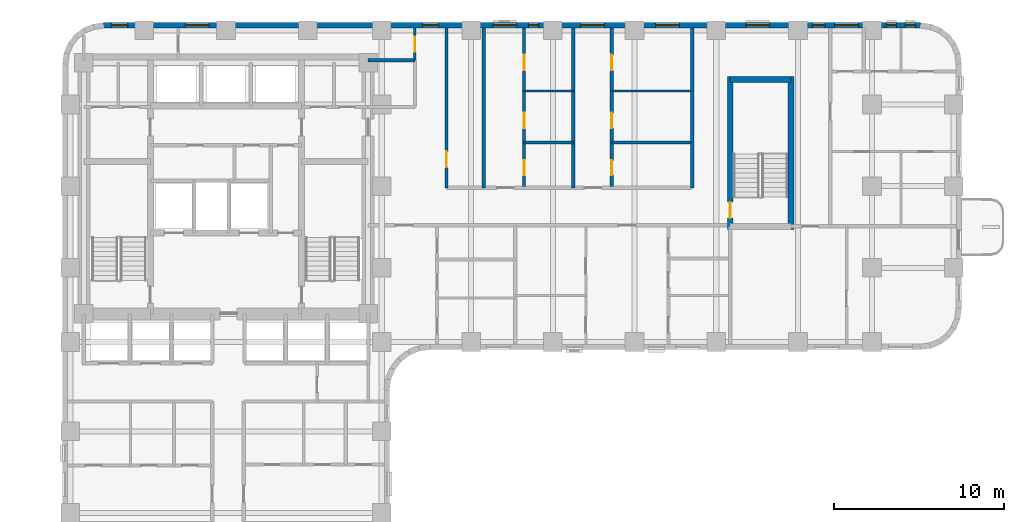
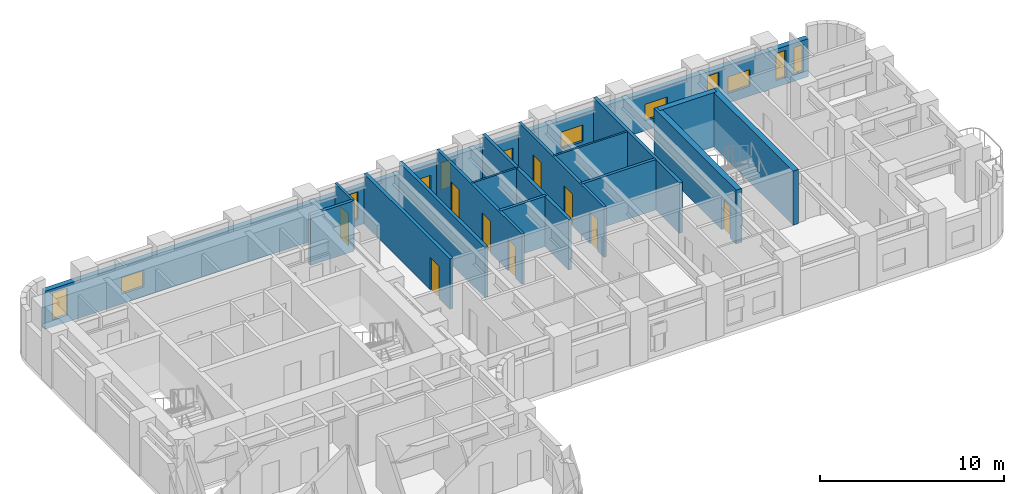
# One storey, part 7 of 10: 16 walls, 12 windows, 9 doors, 21 openings.
"""IFC4 building model written with IfcOpenShell, lengths in metres."""

from ifc_helpers import new_model, si_unit, direction, frame, frame_2d, origin, place, context, subcontext, project, spatial, rectangle, extrude, material, layer, layer_set, type_object, element, fill, save


model = new_model("IFC4")

# Units and contexts
model_context = context("Model", 3, precision=1e-05, world=origin(), true_north=direction((0.0, 1.0)))
body_context = subcontext(model_context, "Body", "Model", "MODEL_VIEW")
ifc_project = project(units=[si_unit("LENGTHUNIT", "METRE"), si_unit("AREAUNIT", "SQUARE_METRE"), si_unit("VOLUMEUNIT", "CUBIC_METRE"), si_unit("PLANEANGLEUNIT", "RADIAN"), si_unit("MASSUNIT", "GRAM", prefix="KILO")], contexts=[model_context])

# Site, building, storey
site_placement = place(None, origin())
site = spatial("IfcSite", under=ifc_project, at=site_placement, CompositionType="ELEMENT")
building_placement = place(site_placement, origin())
building = spatial("IfcBuilding", under=site, at=building_placement, Name="Orvandelia Arch Residences", CompositionType="ELEMENT")
storey_placement = place(building_placement, frame((0.0, 0.0, 28.60009765625)))
storey = spatial("IfcBuildingStorey", under=building, at=storey_placement, Name="L06", CompositionType="ELEMENT", Elevation=28.60009765625)

# Wall, opening, door
ifc_material_1 = material(Name="Concrete C50/60", Category="concrete")
ifc_layer_1 = layer(ifc_material_1, 0.35009765625, Name="Concrete C50/60", Category="concrete")
ifc_layer_set_1 = layer_set([ifc_layer_1], Name="Concrete C50/60")
wall_type_1 = type_object("IfcWallType", Name="WL-CORE-350", PredefinedType="SHEAR", material=ifc_layer_set_1)
wall_1_placement = place(storey_placement, frame((44.02001953125, 35.864990234375, 0.0), z_axis=(0.0, 0.0, 1.0), x_axis=(0.0, 1.0, 0.0)))
wall_1 = element("IfcWall", 1, at=wall_1_placement, inside=storey, type_object=wall_type_1, Name="East Stair Core Shear Wall L06-W", PredefinedType="SHEAR", context=body_context, shape_type="SweptSolid", body=[
    extrude(rectangle(XDim=8.969970703125, YDim=0.35009765625, at=frame_2d((4.48486328125, 0.0))), origin(), (0.0, 0.0, 1.0), 3.599853515625),
])
opening_1_placement = place(wall_1_placement, frame((0.64990234375, 0.0, 0.0)))
opening_1 = element("IfcOpeningElement", 2, at=opening_1_placement, cuts=wall_1, Name="Opening D7", PredefinedType="OPENING", context=body_context, shape_type="SweptSolid", body=[
    extrude(rectangle(XDim=0.949951171875, YDim=2.10009765625, at=frame_2d((0.47509765625, 1.050048828125))), frame((0.0, 0.18505859375, 0.0), z_axis=(0.0, -1.0, 0.0), x_axis=(1.0, 0.0, 0.0)), (0.0, 0.0, 1.0), 0.3701171875),
])
ifc_material_2 = material(Name="Pressurised Stairwell Fire Door")
door_type_1 = type_object("IfcDoorType", Name="DR-STAIR-950", OperationType="NOTDEFINED", PredefinedType="DOOR", material=ifc_material_2)
door_1_placement = place(opening_1_placement, origin())
door_1 = element("IfcDoor", 3, at=door_1_placement, inside=storey, type_object=door_type_1, Name="East Stairwell ST-3 Fire Door L06", OperationType="SINGLE_SWING_LEFT", OverallHeight=2.10009765625, OverallWidth=0.949951171875, PredefinedType="DOOR", context=body_context, shape_type="SweptSolid", body=[
    extrude(rectangle(XDim=0.949951171875, YDim=2.10009765625, at=frame_2d((0.47509765625, 1.050048828125))), frame((0.0, 0.02490234375, 0.0), z_axis=(0.0, -1.0, 0.0), x_axis=(1.0, 0.0, 0.0)), (0.0, 0.0, 1.0), 0.050048828125),
])
fill(opening_1, door_1)

# Walls
wall_2_placement = place(storey_placement, frame((47.60009765625, 35.864990234375, 0.0), z_axis=(0.0, 0.0, 1.0), x_axis=(0.0, 1.0, 0.0)))
element("IfcWall", 4, at=wall_2_placement, inside=storey, type_object=wall_type_1, Name="East Stair Core Shear Wall L06-E", PredefinedType="SHEAR", context=body_context, shape_type="SweptSolid", body=[
    extrude(rectangle(XDim=8.969970703125, YDim=0.35009765625, at=frame_2d((4.48486328125, 0.0))), origin(), (0.0, 0.0, 1.0), 3.599853515625),
])
wall_3_placement = place(storey_placement, frame((44.02001953125, 44.659912109375, 0.0), z_axis=(0.0, 0.0, 1.0), x_axis=(1.0, 0.0, 0.0)))
element("IfcWall", 5, at=wall_3_placement, inside=storey, type_object=wall_type_1, Name="East Stair Core Shear Wall L06-N", PredefinedType="SHEAR", context=body_context, shape_type="SweptSolid", body=[
    extrude(rectangle(XDim=3.580078125, YDim=0.35009765625, at=frame_2d((1.7900390625, 0.0))), origin(), (0.0, 0.0, 1.0), 3.599853515625),
])
ifc_material_3 = material(Name="Fire-Rated Corridor Partition")
ifc_layer_2 = layer(ifc_material_3, 0.199951171875, Name="Fire-Rated Corridor Partition")
ifc_layer_set_2 = layer_set([ifc_layer_2], Name="Fire-Rated Corridor Partition")
wall_type_2 = type_object("IfcWallType", Name="WL-CORR-200", PredefinedType="PARTITIONING", material=ifc_layer_set_2)
wall_4_placement = place(storey_placement, frame((22.75, 45.800048828125, 0.0), z_axis=(0.0, 0.0, 1.0), x_axis=(1.0, 0.0, 0.0)))
element("IfcWall", 6, at=wall_4_placement, inside=storey, type_object=wall_type_2, Name="Interior Partition Wall WL-L06-NCE-S", PredefinedType="PARTITIONING", context=body_context, shape_type="SweptSolid", body=[
    extrude(rectangle(XDim=2.75, YDim=0.199951171875, at=frame_2d((1.375, 0.0))), origin(), (0.0, 0.0, 1.0), 3.349853515625),
])

# Wall, opening, door
wall_5_placement = place(storey_placement, frame((27.35009765625, 38.300048828125, 0.0), z_axis=(0.0, 0.0, 1.0), x_axis=(0.0, 1.0, 0.0)))
wall_5 = element("IfcWall", 7, at=wall_5_placement, inside=storey, type_object=wall_type_2, Name="Interior Partition Wall WL-L06-EM-NCE", PredefinedType="PARTITIONING", context=body_context, shape_type="SweptSolid", body=[
    extrude(rectangle(XDim=9.3798828125, YDim=0.199951171875, at=frame_2d((4.68994140625, 0.0))), origin(), (0.0, 0.0, 1.0), 3.349853515625),
])
opening_2_placement = place(wall_5_placement, frame((1.199951171875, 0.0, 0.0)))
opening_2 = element("IfcOpeningElement", 8, at=opening_2_placement, cuts=wall_5, Name="Opening D2", PredefinedType="OPENING", context=body_context, shape_type="SweptSolid", body=[
    extrude(rectangle(XDim=0.949951171875, YDim=2.14990234375, at=frame_2d((0.47509765625, 1.074951171875))), frame((0.0, 0.10986328125, 0.0), z_axis=(0.0, -1.0, 0.0), x_axis=(1.0, 0.0, 0.0)), (0.0, 0.0, 1.0), 0.219970703125),
])
ifc_material_4 = material(Name="Solid-Core Timber Interior Fire Door", Category="wood")
door_type_2 = type_object("IfcDoorType", Name="DR-APT-950", OperationType="NOTDEFINED", PredefinedType="DOOR", material=ifc_material_4)
door_2_placement = place(opening_2_placement, origin())
door_2 = element("IfcDoor", 9, at=door_2_placement, inside=storey, type_object=door_type_2, Name="DR-L06-LDY", OperationType="SINGLE_SWING_RIGHT", OverallHeight=2.14990234375, OverallWidth=0.949951171875, PredefinedType="DOOR", context=body_context, shape_type="SweptSolid", body=[
    extrude(rectangle(XDim=0.949951171875, YDim=2.14990234375, at=frame_2d((0.47509765625, 1.074951171875))), frame((0.0, 0.02490234375, 0.0), z_axis=(0.0, -1.0, 0.0), x_axis=(1.0, 0.0, 0.0)), (0.0, 0.0, 1.0), 0.050048828125),
])
fill(opening_2, door_2)

# Walls
wall_6_placement = place(storey_placement, frame((41.780029296875, 38.300048828125, 0.0), z_axis=(0.0, 0.0, 1.0), x_axis=(0.0, 1.0, 0.0)))
element("IfcWall", 10, at=wall_6_placement, inside=storey, type_object=wall_type_2, Name="Interior Partition Wall WL-L06-ETV-W", PredefinedType="PARTITIONING", context=body_context, shape_type="SweptSolid", body=[
    extrude(rectangle(XDim=9.3798828125, YDim=0.199951171875, at=frame_2d((4.68994140625, 0.0))), origin(), (0.0, 0.0, 1.0), 3.349853515625),
])
ifc_material_5 = material(Name="Concrete C40/50", Category="concrete")
ifc_layer_3 = layer(ifc_material_5, 0.199951171875, Name="Concrete C40/50", Category="concrete")
ifc_layer_set_3 = layer_set([ifc_layer_3], Name="Concrete C40/50")
wall_type_3 = type_object("IfcWallType", Name="WL-DEM-200", PredefinedType="SOLIDWALL", material=ifc_layer_set_3)
for number, where, z_axis, x_axis, name in (
    (11, (29.550048828125, 38.300048828125, 0.0), (0.0, 0.0, 1.0), (0.0, 1.0, 0.0), "Interior Partition Wall WL-L06-EM-LDE"),
    (12, (34.800048828125, 38.300048828125, 0.0), (0.0, 0.0, 1.0), (0.0, 1.0, 0.0), "Interior Partition Wall WL-L06-DEM-EMN-348"),
):
    element("IfcWall", number, at=place(storey_placement, frame(where, z_axis=z_axis, x_axis=x_axis)), inside=storey, type_object=wall_type_3, Name=name, PredefinedType="SOLIDWALL", context=body_context, shape_type="SweptSolid", body=[
        extrude(rectangle(XDim=9.3798828125, YDim=0.199951171875, at=frame_2d((4.68994140625, 0.0))), origin(), (0.0, 0.0, 1.0), 3.349853515625),
    ])

# Wall, openings, windows
ifc_material_6 = material(Name="Precast concrete C40/50", Category="concrete")
ifc_layer_4 = layer(ifc_material_6, 0.320068359375, Name="Precast concrete C40/50", Category="concrete")
ifc_layer_set_4 = layer_set([ifc_layer_4], Name="Precast concrete C40/50")
wall_type_4 = type_object("IfcWallType", Name="WL-EXT-STONE-320", PredefinedType="STANDARD", material=ifc_layer_set_4)
wall_7_placement = place(storey_placement, frame((7.199951171875, 47.840087890625, 0.0), z_axis=(0.0, 0.0, 1.0), x_axis=(1.0, 0.0, 0.0)))
wall_7 = element("IfcWall", 13, at=wall_7_placement, inside=storey, type_object=wall_type_4, Name="Coral-Limestone Precast Facade Wall L06-007", PredefinedType="STANDARD", context=body_context, shape_type="SweptSolid", body=[
    extrude(rectangle(XDim=48.0, YDim=0.320068359375, at=frame_2d((24.0, 0.0))), origin(), (0.0, 0.0, 1.0), 2.52978515625),
])
opening_3_placement = place(wall_7_placement, frame((24.969970703125, 0.0, 0.449951171875)))
opening_3 = element("IfcOpeningElement", 14, at=opening_3_placement, cuts=wall_7, Name="Opening W12", PredefinedType="OPENING", context=body_context, shape_type="SweptSolid", body=[
    extrude(rectangle(XDim=0.60009765625, YDim=1.800048828125, at=frame_2d((0.300048828125, 0.89990234375))), frame((0.0, 0.169921875, 0.0), z_axis=(0.0, -1.0, 0.0), x_axis=(1.0, 0.0, 0.0)), (0.0, 0.0, 1.0), 0.340087890625),
])
opening_4_placement = place(wall_7_placement, frame((32.43505859375, 0.0, 0.64990234375)))
opening_4 = element("IfcOpeningElement", 15, at=opening_4_placement, cuts=wall_7, Name="Opening W10", PredefinedType="OPENING", context=body_context, shape_type="SweptSolid", body=[
    extrude(rectangle(XDim=1.39990234375, YDim=1.10009765625, at=frame_2d((0.699951171875, 0.550048828125))), frame((0.0, 0.169921875, 0.0), z_axis=(0.0, -1.0, 0.0), x_axis=(1.0, 0.0, 0.0)), (0.0, 0.0, 1.0), 0.340087890625),
])
opening_5_placement = place(wall_7_placement, frame((47.093994140625, 0.0, 0.449951171875)))
opening_5 = element("IfcOpeningElement", 16, at=opening_5_placement, cuts=wall_7, Name="Opening W12", PredefinedType="OPENING", context=body_context, shape_type="SweptSolid", body=[
    extrude(rectangle(XDim=0.60009765625, YDim=1.800048828125, at=frame_2d((0.300048828125, 0.89990234375))), frame((0.0, 0.169921875, 0.0), z_axis=(0.0, -1.0, 0.0), x_axis=(1.0, 0.0, 0.0)), (0.0, 0.0, 1.0), 0.340087890625),
])
opening_6_placement = place(wall_7_placement, frame((18.739990234375, 0.0, 0.449951171875)))
opening_6 = element("IfcOpeningElement", 17, at=opening_6_placement, cuts=wall_7, Name="Opening W4", PredefinedType="OPENING", context=body_context, shape_type="SweptSolid", body=[
    extrude(rectangle(XDim=0.949951171875, YDim=1.800048828125, at=frame_2d((0.47509765625, 0.89990234375))), frame((0.0, 0.169921875, 0.0), z_axis=(0.0, -1.0, 0.0), x_axis=(1.0, 0.0, 0.0)), (0.0, 0.0, 1.0), 0.340087890625),
])
opening_7_placement = place(wall_7_placement, frame((41.64990234375, 0.0, 0.449951171875)))
opening_7 = element("IfcOpeningElement", 18, at=opening_7_placement, cuts=wall_7, Name="Opening W11", PredefinedType="OPENING", context=body_context, shape_type="SweptSolid", body=[
    extrude(rectangle(XDim=0.75, YDim=1.800048828125, at=frame_2d((0.375, 0.89990234375))), frame((0.0, 0.169921875, 0.0), z_axis=(0.0, -1.0, 0.0), x_axis=(1.0, 0.0, 0.0)), (0.0, 0.0, 1.0), 0.340087890625),
])
opening_8_placement = place(wall_7_placement, frame((37.736083984375, 0.0, 0.64990234375)))
opening_8 = element("IfcOpeningElement", 19, at=opening_8_placement, cuts=wall_7, Name="Opening W10", PredefinedType="OPENING", context=body_context, shape_type="SweptSolid", body=[
    extrude(rectangle(XDim=1.39990234375, YDim=1.10009765625, at=frame_2d((0.699951171875, 0.550048828125))), frame((0.0, 0.169921875, 0.0), z_axis=(0.0, -1.0, 0.0), x_axis=(1.0, 0.0, 0.0)), (0.0, 0.0, 1.0), 0.340087890625),
])
opening_9_placement = place(wall_7_placement, frame((0.469970703125, 0.0, 0.449951171875)))
opening_9 = element("IfcOpeningElement", 20, at=opening_9_placement, cuts=wall_7, Name="Opening W4", PredefinedType="OPENING", context=body_context, shape_type="SweptSolid", body=[
    extrude(rectangle(XDim=0.949951171875, YDim=1.800048828125, at=frame_2d((0.47509765625, 0.89990234375))), frame((0.0, 0.169921875, 0.0), z_axis=(0.0, -1.0, 0.0), x_axis=(1.0, 0.0, 0.0)), (0.0, 0.0, 1.0), 0.340087890625),
])
opening_10_placement = place(wall_7_placement, frame((4.81494140625, 0.0, 0.64990234375)))
opening_10 = element("IfcOpeningElement", 21, at=opening_10_placement, cuts=wall_7, Name="Opening W10", PredefinedType="OPENING", context=body_context, shape_type="SweptSolid", body=[
    extrude(rectangle(XDim=1.39990234375, YDim=1.10009765625, at=frame_2d((0.699951171875, 0.550048828125))), frame((0.0, 0.169921875, 0.0), z_axis=(0.0, -1.0, 0.0), x_axis=(1.0, 0.0, 0.0)), (0.0, 0.0, 1.0), 0.340087890625),
])
opening_11_placement = place(wall_7_placement, frame((22.8701171875, 0.0, 0.64990234375)))
opening_11 = element("IfcOpeningElement", 22, at=opening_11_placement, cuts=wall_7, Name="Opening W10", PredefinedType="OPENING", context=body_context, shape_type="SweptSolid", body=[
    extrude(rectangle(XDim=1.39990234375, YDim=1.10009765625, at=frame_2d((0.699951171875, 0.550048828125))), frame((0.0, 0.169921875, 0.0), z_axis=(0.0, -1.0, 0.0), x_axis=(1.0, 0.0, 0.0)), (0.0, 0.0, 1.0), 0.340087890625),
])
opening_12_placement = place(wall_7_placement, frame((28.030029296875, 0.0, 0.64990234375)))
opening_12 = element("IfcOpeningElement", 23, at=opening_12_placement, cuts=wall_7, Name="Opening W10", PredefinedType="OPENING", context=body_context, shape_type="SweptSolid", body=[
    extrude(rectangle(XDim=1.39990234375, YDim=1.10009765625, at=frame_2d((0.699951171875, 0.550048828125))), frame((0.0, 0.169921875, 0.0), z_axis=(0.0, -1.0, 0.0), x_axis=(1.0, 0.0, 0.0)), (0.0, 0.0, 1.0), 0.340087890625),
])
opening_13_placement = place(wall_7_placement, frame((42.949951171875, 0.0, 0.64990234375)))
opening_13 = element("IfcOpeningElement", 24, at=opening_13_placement, cuts=wall_7, Name="Opening W10", PredefinedType="OPENING", context=body_context, shape_type="SweptSolid", body=[
    extrude(rectangle(XDim=1.39990234375, YDim=1.10009765625, at=frame_2d((0.699951171875, 0.550048828125))), frame((0.0, 0.169921875, 0.0), z_axis=(0.0, -1.0, 0.0), x_axis=(1.0, 0.0, 0.0)), (0.0, 0.0, 1.0), 0.340087890625),
])
opening_14_placement = place(wall_7_placement, frame((45.98388671875, 0.0, 0.449951171875)))
opening_14 = element("IfcOpeningElement", 25, at=opening_14_placement, cuts=wall_7, Name="Opening W12", PredefinedType="OPENING", context=body_context, shape_type="SweptSolid", body=[
    extrude(rectangle(XDim=0.60009765625, YDim=1.800048828125, at=frame_2d((0.300048828125, 0.89990234375))), frame((0.0, 0.169921875, 0.0), z_axis=(0.0, -1.0, 0.0), x_axis=(1.0, 0.0, 0.0)), (0.0, 0.0, 1.0), 0.340087890625),
])
ifc_material_7 = material(Name="Tempered Low-E Insulated Glazing", Category="glass")
window_type_1 = type_object("IfcWindowType", Name="WIN-BED-0750x1800", PartitioningType="SINGLE_PANEL", PredefinedType="WINDOW", material=ifc_material_7)
window_1_placement = place(opening_7_placement, origin())
window_1 = element("IfcWindow", 26, at=window_1_placement, inside=storey, type_object=window_type_1, Name="Recessed Punched Window L06-005", OverallHeight=1.800048828125, OverallWidth=0.75, PartitioningType="SINGLE_PANEL", PredefinedType="WINDOW", context=body_context, shape_type="SweptSolid", body=[
    extrude(rectangle(XDim=0.75, YDim=1.800048828125, at=frame_2d((0.375, 0.89990234375))), frame((0.0, 0.030029296875, 0.0), z_axis=(0.0, -1.0, 0.0), x_axis=(1.0, 0.0, 0.0)), (0.0, 0.0, 1.0), 0.06005859375),
])
fill(opening_7, window_1)
window_type_2 = type_object("IfcWindowType", Name="WIN-CLR-1400x1100", PartitioningType="SINGLE_PANEL", PredefinedType="WINDOW", material=ifc_material_7)
window_2_placement = place(opening_4_placement, origin())
window_2 = element("IfcWindow", 27, at=window_2_placement, inside=storey, type_object=window_type_2, Name="Recessed Punched Window L06-002", OverallHeight=1.10009765625, OverallWidth=1.39990234375, PartitioningType="SINGLE_PANEL", PredefinedType="WINDOW", context=body_context, shape_type="SweptSolid", body=[
    extrude(rectangle(XDim=1.39990234375, YDim=1.10009765625, at=frame_2d((0.699951171875, 0.550048828125))), frame((0.0, 0.030029296875, 0.0), z_axis=(0.0, -1.0, 0.0), x_axis=(1.0, 0.0, 0.0)), (0.0, 0.0, 1.0), 0.06005859375),
])
fill(opening_4, window_2)
window_3_placement = place(opening_8_placement, origin())
window_3 = element("IfcWindow", 28, at=window_3_placement, inside=storey, type_object=window_type_2, Name="Recessed Punched Window L06-006", OverallHeight=1.10009765625, OverallWidth=1.39990234375, PartitioningType="SINGLE_PANEL", PredefinedType="WINDOW", context=body_context, shape_type="SweptSolid", body=[
    extrude(rectangle(XDim=1.39990234375, YDim=1.10009765625, at=frame_2d((0.699951171875, 0.550048828125))), frame((0.0, 0.030029296875, 0.0), z_axis=(0.0, -1.0, 0.0), x_axis=(1.0, 0.0, 0.0)), (0.0, 0.0, 1.0), 0.06005859375),
])
fill(opening_8, window_3)
window_4_placement = place(opening_10_placement, origin())
window_4 = element("IfcWindow", 29, at=window_4_placement, inside=storey, type_object=window_type_2, Name="Recessed Punched Window L06-008", OverallHeight=1.10009765625, OverallWidth=1.39990234375, PartitioningType="SINGLE_PANEL", PredefinedType="WINDOW", context=body_context, shape_type="SweptSolid", body=[
    extrude(rectangle(XDim=1.39990234375, YDim=1.10009765625, at=frame_2d((0.699951171875, 0.550048828125))), frame((0.0, 0.030029296875, 0.0), z_axis=(0.0, -1.0, 0.0), x_axis=(1.0, 0.0, 0.0)), (0.0, 0.0, 1.0), 0.06005859375),
])
fill(opening_10, window_4)
window_5_placement = place(opening_11_placement, origin())
window_5 = element("IfcWindow", 30, at=window_5_placement, inside=storey, type_object=window_type_2, Name="Recessed Punched Window L06-009", OverallHeight=1.10009765625, OverallWidth=1.39990234375, PartitioningType="SINGLE_PANEL", PredefinedType="WINDOW", context=body_context, shape_type="SweptSolid", body=[
    extrude(rectangle(XDim=1.39990234375, YDim=1.10009765625, at=frame_2d((0.699951171875, 0.550048828125))), frame((0.0, 0.030029296875, 0.0), z_axis=(0.0, -1.0, 0.0), x_axis=(1.0, 0.0, 0.0)), (0.0, 0.0, 1.0), 0.06005859375),
])
fill(opening_11, window_5)
window_6_placement = place(opening_12_placement, origin())
window_6 = element("IfcWindow", 31, at=window_6_placement, inside=storey, type_object=window_type_2, Name="Recessed Punched Window L06-010", OverallHeight=1.10009765625, OverallWidth=1.39990234375, PartitioningType="SINGLE_PANEL", PredefinedType="WINDOW", context=body_context, shape_type="SweptSolid", body=[
    extrude(rectangle(XDim=1.39990234375, YDim=1.10009765625, at=frame_2d((0.699951171875, 0.550048828125))), frame((0.0, 0.030029296875, 0.0), z_axis=(0.0, -1.0, 0.0), x_axis=(1.0, 0.0, 0.0)), (0.0, 0.0, 1.0), 0.06005859375),
])
fill(opening_12, window_6)
window_7_placement = place(opening_13_placement, origin())
window_7 = element("IfcWindow", 32, at=window_7_placement, inside=storey, type_object=window_type_2, Name="Recessed Punched Window L06-011", OverallHeight=1.10009765625, OverallWidth=1.39990234375, PartitioningType="SINGLE_PANEL", PredefinedType="WINDOW", context=body_context, shape_type="SweptSolid", body=[
    extrude(rectangle(XDim=1.39990234375, YDim=1.10009765625, at=frame_2d((0.699951171875, 0.550048828125))), frame((0.0, 0.030029296875, 0.0), z_axis=(0.0, -1.0, 0.0), x_axis=(1.0, 0.0, 0.0)), (0.0, 0.0, 1.0), 0.06005859375),
])
fill(opening_13, window_7)
window_type_3 = type_object("IfcWindowType", Name="WIN-LAN-0600x1800", PartitioningType="SINGLE_PANEL", PredefinedType="WINDOW", material=ifc_material_7)
window_8_placement = place(opening_3_placement, origin())
window_8 = element("IfcWindow", 33, at=window_8_placement, inside=storey, type_object=window_type_3, Name="Recessed Punched Window L06-001", OverallHeight=1.800048828125, OverallWidth=0.60009765625, PartitioningType="SINGLE_PANEL", PredefinedType="WINDOW", context=body_context, shape_type="SweptSolid", body=[
    extrude(rectangle(XDim=0.60009765625, YDim=1.800048828125, at=frame_2d((0.300048828125, 0.89990234375))), frame((0.0, 0.030029296875, 0.0), z_axis=(0.0, -1.0, 0.0), x_axis=(1.0, 0.0, 0.0)), (0.0, 0.0, 1.0), 0.06005859375),
])
fill(opening_3, window_8)
window_9_placement = place(opening_5_placement, origin())
window_9 = element("IfcWindow", 34, at=window_9_placement, inside=storey, type_object=window_type_3, Name="Recessed Punched Window L06-003", OverallHeight=1.800048828125, OverallWidth=0.60009765625, PartitioningType="SINGLE_PANEL", PredefinedType="WINDOW", context=body_context, shape_type="SweptSolid", body=[
    extrude(rectangle(XDim=0.60009765625, YDim=1.800048828125, at=frame_2d((0.300048828125, 0.89990234375))), frame((0.0, 0.030029296875, 0.0), z_axis=(0.0, -1.0, 0.0), x_axis=(1.0, 0.0, 0.0)), (0.0, 0.0, 1.0), 0.06005859375),
])
fill(opening_5, window_9)
window_10_placement = place(opening_14_placement, origin())
window_10 = element("IfcWindow", 35, at=window_10_placement, inside=storey, type_object=window_type_3, Name="Recessed Punched Window L06-012", OverallHeight=1.800048828125, OverallWidth=0.60009765625, PartitioningType="SINGLE_PANEL", PredefinedType="WINDOW", context=body_context, shape_type="SweptSolid", body=[
    extrude(rectangle(XDim=0.60009765625, YDim=1.800048828125, at=frame_2d((0.300048828125, 0.89990234375))), frame((0.0, 0.030029296875, 0.0), z_axis=(0.0, -1.0, 0.0), x_axis=(1.0, 0.0, 0.0)), (0.0, 0.0, 1.0), 0.06005859375),
])
fill(opening_14, window_10)
window_type_4 = type_object("IfcWindowType", Name="WIN-RES-0950x1800", PartitioningType="SINGLE_PANEL", PredefinedType="WINDOW", material=ifc_material_7)
window_11_placement = place(opening_6_placement, origin())
window_11 = element("IfcWindow", 36, at=window_11_placement, inside=storey, type_object=window_type_4, Name="Recessed Punched Window L06-004", OverallHeight=1.800048828125, OverallWidth=0.949951171875, PartitioningType="SINGLE_PANEL", PredefinedType="WINDOW", context=body_context, shape_type="SweptSolid", body=[
    extrude(rectangle(XDim=0.949951171875, YDim=1.800048828125, at=frame_2d((0.47509765625, 0.89990234375))), frame((0.0, 0.030029296875, 0.0), z_axis=(0.0, -1.0, 0.0), x_axis=(1.0, 0.0, 0.0)), (0.0, 0.0, 1.0), 0.06005859375),
])
fill(opening_6, window_11)
window_12_placement = place(opening_9_placement, origin())
window_12 = element("IfcWindow", 37, at=window_12_placement, inside=storey, type_object=window_type_4, Name="Recessed Punched Window L06-007", OverallHeight=1.800048828125, OverallWidth=0.949951171875, PartitioningType="SINGLE_PANEL", PredefinedType="WINDOW", context=body_context, shape_type="SweptSolid", body=[
    extrude(rectangle(XDim=0.949951171875, YDim=1.800048828125, at=frame_2d((0.47509765625, 0.89990234375))), frame((0.0, 0.030029296875, 0.0), z_axis=(0.0, -1.0, 0.0), x_axis=(1.0, 0.0, 0.0)), (0.0, 0.0, 1.0), 0.06005859375),
])
fill(opening_9, window_12)

# Walls
ifc_material_8 = material(Name="Lightweight Gypsum Stud Partition")
ifc_layer_5 = layer(ifc_material_8, 0.1201171875, Name="Lightweight Gypsum Stud Partition")
ifc_layer_set_5 = layer_set([ifc_layer_5], Name="Lightweight Gypsum Stud Partition")
wall_type_5 = type_object("IfcWallType", Name="WL-PART-120", PredefinedType="PARTITIONING", material=ifc_layer_set_5)
wall_8_placement = place(storey_placement, frame((31.909912109375, 43.99609375, 0.0), z_axis=(0.0, 0.0, 1.0), x_axis=(1.0, 0.0, 0.0)))
element("IfcWall", 38, at=wall_8_placement, inside=storey, type_object=wall_type_5, Name="Interior Partition Wall WL-L06-U09-H2", PredefinedType="PARTITIONING", context=body_context, shape_type="SweptSolid", body=[
    extrude(rectangle(XDim=2.91015625, YDim=0.1201171875, at=frame_2d((1.455078125, 0.0))), origin(), (0.0, 0.0, 1.0), 3.349853515625),
])
wall_9_placement = place(storey_placement, frame((37.06005859375, 43.99609375, 0.0), z_axis=(0.0, 0.0, 1.0), x_axis=(1.0, 0.0, 0.0)))
element("IfcWall", 39, at=wall_9_placement, inside=storey, type_object=wall_type_5, Name="Interior Partition Wall WL-L06-U10-H2", PredefinedType="PARTITIONING", context=body_context, shape_type="SweptSolid", body=[
    extrude(rectangle(XDim=4.639892578125, YDim=0.1201171875, at=frame_2d((2.31982421875, 0.0))), origin(), (0.0, 0.0, 1.0), 3.349853515625),
])

# Wall, opening, door
ifc_material_9 = material(Name="Acoustic Gypsum Stud Partition")
ifc_layer_6 = layer(ifc_material_9, 0.14990234375, Name="Acoustic Gypsum Stud Partition")
ifc_layer_set_6 = layer_set([ifc_layer_6], Name="Acoustic Gypsum Stud Partition")
wall_type_6 = type_object("IfcWallType", Name="WL-PART-150", PredefinedType="PARTITIONING", material=ifc_layer_set_6)
wall_10_placement = place(storey_placement, frame((25.5, 45.800048828125, 0.0), z_axis=(0.0, 0.0, 1.0), x_axis=(0.0, 1.0, 0.0)))
wall_10 = element("IfcWall", 40, at=wall_10_placement, inside=storey, type_object=wall_type_6, Name="Interior Partition Wall WL-L06-NCE-W", PredefinedType="PARTITIONING", context=body_context, shape_type="SweptSolid", body=[
    extrude(rectangle(XDim=1.8798828125, YDim=0.14990234375, at=frame_2d((0.93994140625, 0.0))), origin(), (0.0, 0.0, 1.0), 3.349853515625),
])
opening_15_placement = place(wall_10_placement, frame((0.5, 0.0, 0.0)))
opening_15 = element("IfcOpeningElement", 41, at=opening_15_placement, cuts=wall_10, Name="Opening D5", PredefinedType="OPENING", context=body_context, shape_type="SweptSolid", body=[
    extrude(rectangle(XDim=0.8798828125, YDim=2.10009765625, at=frame_2d((0.43994140625, 1.050048828125))), frame((0.0, 0.0849609375, 0.0), z_axis=(0.0, -1.0, 0.0), x_axis=(1.0, 0.0, 0.0)), (0.0, 0.0, 1.0), 0.169921875),
])
ifc_material_10 = material(Name="Painted Galvanised Steel Service Door", Category="steel")
door_type_3 = type_object("IfcDoorType", Name="DR-SRV-880", OperationType="NOTDEFINED", PredefinedType="DOOR", material=ifc_material_10)
door_3_placement = place(opening_15_placement, origin())
door_3 = element("IfcDoor", 42, at=door_3_placement, inside=storey, type_object=door_type_3, Name="DR-L06-NCS2", OperationType="SINGLE_SWING_LEFT", OverallHeight=2.10009765625, OverallWidth=0.8798828125, PredefinedType="DOOR", context=body_context, shape_type="SweptSolid", body=[
    extrude(rectangle(XDim=0.8798828125, YDim=2.10009765625, at=frame_2d((0.43994140625, 1.050048828125))), frame((0.0, 0.02490234375, 0.0), z_axis=(0.0, -1.0, 0.0), x_axis=(1.0, 0.0, 0.0)), (0.0, 0.0, 1.0), 0.050048828125),
])
fill(opening_15, door_3)

# Wall, openings, doors
ifc_material_11 = material(Name="Moisture-Resistant Plumbing Wall")
ifc_layer_7 = layer(ifc_material_11, 0.179931640625, Name="Moisture-Resistant Plumbing Wall")
ifc_layer_set_7 = layer_set([ifc_layer_7], Name="Moisture-Resistant Plumbing Wall")
wall_type_7 = type_object("IfcWallType", Name="WL-WET-180", PredefinedType="PLUMBINGWALL", material=ifc_layer_set_7)
wall_11_placement = place(storey_placement, frame((31.909912109375, 38.3798828125, 0.0), z_axis=(0.0, 0.0, 1.0), x_axis=(0.0, 1.0, 0.0)))
wall_11 = element("IfcWall", 43, at=wall_11_placement, inside=storey, type_object=wall_type_7, Name="Interior Partition Wall WL-L06-U09-VT", PredefinedType="PLUMBINGWALL", context=body_context, shape_type="SweptSolid", body=[
    extrude(rectangle(XDim=9.300048828125, YDim=0.179931640625, at=frame_2d((4.64990234375, 0.0))), origin(), (0.0, 0.0, 1.0), 3.349853515625),
])
opening_16_placement = place(wall_11_placement, frame((0.66748046875, 0.0, 0.0)))
opening_16 = element("IfcOpeningElement", 44, at=opening_16_placement, cuts=wall_11, Name="Opening D4", PredefinedType="OPENING", context=body_context, shape_type="SweptSolid", body=[
    extrude(rectangle(XDim=0.860107421875, YDim=2.10009765625, at=frame_2d((0.43017578125, 1.050048828125))), frame((0.0, 0.10009765625, 0.0), z_axis=(0.0, -1.0, 0.0), x_axis=(1.0, 0.0, 0.0)), (0.0, 0.0, 1.0), 0.199951171875),
])
opening_17_placement = place(wall_11_placement, frame((3.430419921875, 0.0, 0.0)))
opening_17 = element("IfcOpeningElement", 45, at=opening_17_placement, cuts=wall_11, Name="Opening D3", PredefinedType="OPENING", context=body_context, shape_type="SweptSolid", body=[
    extrude(rectangle(XDim=0.89990234375, YDim=2.14990234375, at=frame_2d((0.449951171875, 1.074951171875))), frame((0.0, 0.10009765625, 0.0), z_axis=(0.0, -1.0, 0.0), x_axis=(1.0, 0.0, 0.0)), (0.0, 0.0, 1.0), 0.199951171875),
])
opening_18_placement = place(wall_11_placement, frame((6.828369140625, 0.0, 0.0)))
opening_18 = element("IfcOpeningElement", 46, at=opening_18_placement, cuts=wall_11, Name="Opening D3", PredefinedType="OPENING", context=body_context, shape_type="SweptSolid", body=[
    extrude(rectangle(XDim=0.89990234375, YDim=2.14990234375, at=frame_2d((0.449951171875, 1.074951171875))), frame((0.0, 0.10009765625, 0.0), z_axis=(0.0, -1.0, 0.0), x_axis=(1.0, 0.0, 0.0)), (0.0, 0.0, 1.0), 0.199951171875),
])
ifc_material_12 = material(Name="Engineered Timber Flush Door", Category="wood")
door_type_4 = type_object("IfcDoorType", Name="DR-INT-900", OperationType="NOTDEFINED", PredefinedType="DOOR", material=ifc_material_12)
door_4_placement = place(opening_17_placement, origin())
door_4 = element("IfcDoor", 47, at=door_4_placement, inside=storey, type_object=door_type_4, Name="DR-L06-U09-KIT", OperationType="SINGLE_SWING_LEFT", OverallHeight=2.14990234375, OverallWidth=0.89990234375, PredefinedType="DOOR", context=body_context, shape_type="SweptSolid", body=[
    extrude(rectangle(XDim=0.89990234375, YDim=2.14990234375, at=frame_2d((0.449951171875, 1.074951171875))), frame((0.0, 0.02490234375, 0.0), z_axis=(0.0, -1.0, 0.0), x_axis=(1.0, 0.0, 0.0)), (0.0, 0.0, 1.0), 0.050048828125),
])
fill(opening_17, door_4)
door_5_placement = place(opening_18_placement, origin())
door_5 = element("IfcDoor", 48, at=door_5_placement, inside=storey, type_object=door_type_4, Name="DR-L06-U09-BD1", OperationType="SINGLE_SWING_RIGHT", OverallHeight=2.14990234375, OverallWidth=0.89990234375, PredefinedType="DOOR", context=body_context, shape_type="SweptSolid", body=[
    extrude(rectangle(XDim=0.89990234375, YDim=2.14990234375, at=frame_2d((0.449951171875, 1.074951171875))), frame((0.0, 0.02490234375, 0.0), z_axis=(0.0, -1.0, 0.0), x_axis=(1.0, 0.0, 0.0)), (0.0, 0.0, 1.0), 0.050048828125),
])
fill(opening_18, door_5)
ifc_material_13 = material(Name="Moisture-Sealed Timber Bathroom Door", Category="wood")
door_type_5 = type_object("IfcDoorType", Name="DR-WET-900", OperationType="NOTDEFINED", PredefinedType="DOOR", material=ifc_material_13)
door_6_placement = place(opening_16_placement, origin())
door_6 = element("IfcDoor", 49, at=door_6_placement, inside=storey, type_object=door_type_5, Name="DR-L06-U09-BTH", OperationType="SINGLE_SWING_RIGHT", OverallHeight=2.10009765625, OverallWidth=0.860107421875, PredefinedType="DOOR", context=body_context, shape_type="SweptSolid", body=[
    extrude(rectangle(XDim=0.860107421875, YDim=2.10009765625, at=frame_2d((0.43017578125, 1.050048828125))), frame((0.0, 0.02490234375, 0.0), z_axis=(0.0, -1.0, 0.0), x_axis=(1.0, 0.0, 0.0)), (0.0, 0.0, 1.0), 0.050048828125),
])
fill(opening_16, door_6)

# Wall
wall_12_placement = place(storey_placement, frame((31.909912109375, 40.962890625, 0.0), z_axis=(0.0, 0.0, 1.0), x_axis=(1.0, 0.0, 0.0)))
element("IfcWall", 50, at=wall_12_placement, inside=storey, type_object=wall_type_7, Name="Interior Partition Wall WL-L06-U09-H1", PredefinedType="PLUMBINGWALL", context=body_context, shape_type="SweptSolid", body=[
    extrude(rectangle(XDim=2.91015625, YDim=0.179931640625, at=frame_2d((1.455078125, 0.0))), origin(), (0.0, 0.0, 1.0), 3.349853515625),
])

# Wall, openings, doors
wall_13_placement = place(storey_placement, frame((37.06005859375, 38.3798828125, 0.0), z_axis=(0.0, 0.0, 1.0), x_axis=(0.0, 1.0, 0.0)))
wall_13 = element("IfcWall", 51, at=wall_13_placement, inside=storey, type_object=wall_type_7, Name="Interior Partition Wall WL-L06-U10-VT", PredefinedType="PLUMBINGWALL", context=body_context, shape_type="SweptSolid", body=[
    extrude(rectangle(XDim=9.300048828125, YDim=0.179931640625, at=frame_2d((4.64990234375, 0.0))), origin(), (0.0, 0.0, 1.0), 3.349853515625),
])
opening_19_placement = place(wall_13_placement, frame((0.66748046875, 0.0, 0.0)))
opening_19 = element("IfcOpeningElement", 52, at=opening_19_placement, cuts=wall_13, Name="Opening D4", PredefinedType="OPENING", context=body_context, shape_type="SweptSolid", body=[
    extrude(rectangle(XDim=0.860107421875, YDim=2.10009765625, at=frame_2d((0.43017578125, 1.050048828125))), frame((0.0, 0.10009765625, 0.0), z_axis=(0.0, -1.0, 0.0), x_axis=(1.0, 0.0, 0.0)), (0.0, 0.0, 1.0), 0.199951171875),
])
opening_20_placement = place(wall_13_placement, frame((3.430419921875, 0.0, 0.0)))
opening_20 = element("IfcOpeningElement", 53, at=opening_20_placement, cuts=wall_13, Name="Opening D3", PredefinedType="OPENING", context=body_context, shape_type="SweptSolid", body=[
    extrude(rectangle(XDim=0.89990234375, YDim=2.14990234375, at=frame_2d((0.449951171875, 1.074951171875))), frame((0.0, 0.10009765625, 0.0), z_axis=(0.0, -1.0, 0.0), x_axis=(1.0, 0.0, 0.0)), (0.0, 0.0, 1.0), 0.199951171875),
])
opening_21_placement = place(wall_13_placement, frame((6.828369140625, 0.0, 0.0)))
opening_21 = element("IfcOpeningElement", 54, at=opening_21_placement, cuts=wall_13, Name="Opening D3", PredefinedType="OPENING", context=body_context, shape_type="SweptSolid", body=[
    extrude(rectangle(XDim=0.89990234375, YDim=2.14990234375, at=frame_2d((0.449951171875, 1.074951171875))), frame((0.0, 0.10009765625, 0.0), z_axis=(0.0, -1.0, 0.0), x_axis=(1.0, 0.0, 0.0)), (0.0, 0.0, 1.0), 0.199951171875),
])
door_7_placement = place(opening_20_placement, origin())
door_7 = element("IfcDoor", 55, at=door_7_placement, inside=storey, type_object=door_type_4, Name="DR-L06-U10-KIT", OperationType="SINGLE_SWING_RIGHT", OverallHeight=2.14990234375, OverallWidth=0.89990234375, PredefinedType="DOOR", context=body_context, shape_type="SweptSolid", body=[
    extrude(rectangle(XDim=0.89990234375, YDim=2.14990234375, at=frame_2d((0.449951171875, 1.074951171875))), frame((0.0, 0.02490234375, 0.0), z_axis=(0.0, -1.0, 0.0), x_axis=(1.0, 0.0, 0.0)), (0.0, 0.0, 1.0), 0.050048828125),
])
fill(opening_20, door_7)
door_8_placement = place(opening_21_placement, origin())
door_8 = element("IfcDoor", 56, at=door_8_placement, inside=storey, type_object=door_type_4, Name="DR-L06-U10-BD1", OperationType="SINGLE_SWING_LEFT", OverallHeight=2.14990234375, OverallWidth=0.89990234375, PredefinedType="DOOR", context=body_context, shape_type="SweptSolid", body=[
    extrude(rectangle(XDim=0.89990234375, YDim=2.14990234375, at=frame_2d((0.449951171875, 1.074951171875))), frame((0.0, 0.02490234375, 0.0), z_axis=(0.0, -1.0, 0.0), x_axis=(1.0, 0.0, 0.0)), (0.0, 0.0, 1.0), 0.050048828125),
])
fill(opening_21, door_8)
door_9_placement = place(opening_19_placement, origin())
door_9 = element("IfcDoor", 57, at=door_9_placement, inside=storey, type_object=door_type_5, Name="DR-L06-U10-BTH", OperationType="SINGLE_SWING_LEFT", OverallHeight=2.10009765625, OverallWidth=0.860107421875, PredefinedType="DOOR", context=body_context, shape_type="SweptSolid", body=[
    extrude(rectangle(XDim=0.860107421875, YDim=2.10009765625, at=frame_2d((0.43017578125, 1.050048828125))), frame((0.0, 0.02490234375, 0.0), z_axis=(0.0, -1.0, 0.0), x_axis=(1.0, 0.0, 0.0)), (0.0, 0.0, 1.0), 0.050048828125),
])
fill(opening_19, door_9)

# Wall
wall_14_placement = place(storey_placement, frame((37.06005859375, 40.962890625, 0.0), z_axis=(0.0, 0.0, 1.0), x_axis=(1.0, 0.0, 0.0)))
element("IfcWall", 58, at=wall_14_placement, inside=storey, type_object=wall_type_7, Name="Interior Partition Wall WL-L06-U10-H1", PredefinedType="PLUMBINGWALL", context=body_context, shape_type="SweptSolid", body=[
    extrude(rectangle(XDim=4.639892578125, YDim=0.179931640625, at=frame_2d((2.31982421875, 0.0))), origin(), (0.0, 0.0, 1.0), 3.349853515625),
])

save(model, "model.ifc")
